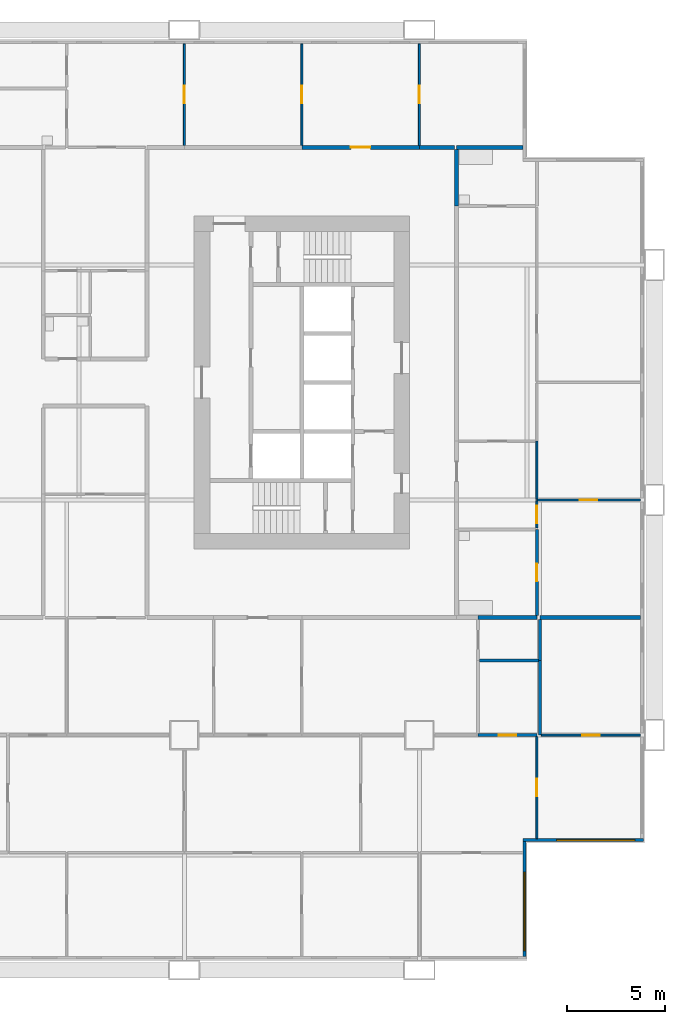
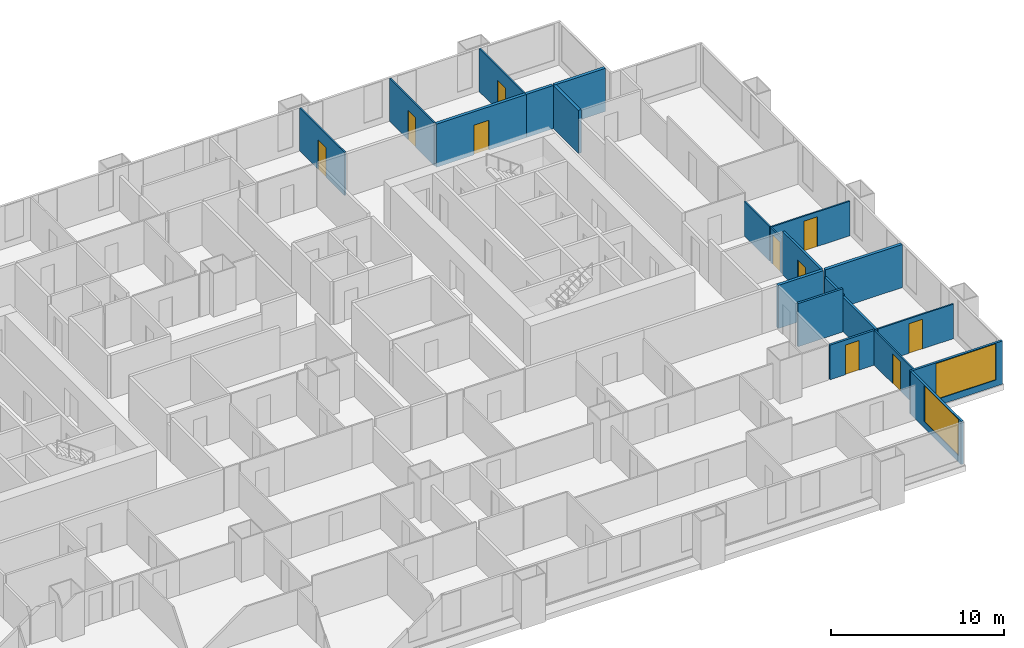
# One storey, part 11 of 14: 21 walls, 10 doors, 2 windows, 12 openings.
"""IFC4 building model written with IfcOpenShell, lengths in metres."""

from ifc_helpers import new_model, si_unit, direction, frame, frame_2d, origin, place, context, subcontext, project, spatial, rectangle, extrude, material, layer, layer_set, type_object, element, fill, save


model = new_model("IFC4")

# Units and contexts
model_context = context("Model", 3, precision=1e-05, world=origin(), true_north=direction((0.0, 1.0)))
body_context = subcontext(model_context, "Body", "Model", "MODEL_VIEW")
ifc_project = project(units=[si_unit("LENGTHUNIT", "METRE"), si_unit("AREAUNIT", "SQUARE_METRE"), si_unit("VOLUMEUNIT", "CUBIC_METRE"), si_unit("PLANEANGLEUNIT", "RADIAN"), si_unit("MASSUNIT", "GRAM", prefix="KILO")], contexts=[model_context])

# Site, building, storey
site_placement = place(None, origin())
site = spatial("IfcSite", under=ifc_project, at=site_placement, CompositionType="ELEMENT")
building_placement = place(site_placement, origin())
building = spatial("IfcBuilding", under=site, at=building_placement, Name="Kitamizu Gate Tower and Museum", CompositionType="ELEMENT")
storey_placement = place(building_placement, frame((0.0, 0.0, 85.199951171875)))
storey = spatial("IfcBuildingStorey", under=building, at=storey_placement, Name="L21", CompositionType="ELEMENT", Elevation=85.199951171875)

# Wall, opening, door
ifc_material_1 = material(Name="Gypsum board on galvanised stud")
ifc_layer_1 = layer(ifc_material_1, 0.10009765625)
ifc_layer_set_1 = layer_set([ifc_layer_1], Name="Gypsum board on galvanised stud")
wall_type_1 = type_object("IfcWallType", Name="Partition 100 NOT RATED", PredefinedType="PARTITIONING", material=ifc_layer_set_1)
wall_1_placement = place(storey_placement, frame((66.0, 6.719970703125, 0.0), z_axis=(0.0, 0.0, 1.0), x_axis=(0.0, 1.0, 0.0)))
wall_1 = element("IfcWall", 1, at=wall_1_placement, inside=storey, type_object=wall_type_1, Name="Partition L21-140", PredefinedType="PARTITIONING", context=body_context, shape_type="SweptSolid", body=[
    extrude(rectangle(XDim=5.205078125, YDim=0.10009765625, at=frame_2d((2.6025390625, 0.0))), origin(), (0.0, 0.0, 1.0), 2.449951171875),
])
opening_1_placement = place(wall_1_placement, frame((2.152587890625, 0.0, 0.0)))
opening_1 = element("IfcOpeningElement", 2, at=opening_1_placement, cuts=wall_1, Name="Opening L21-047", PredefinedType="OPENING", context=body_context, shape_type="SweptSolid", body=[
    extrude(rectangle(XDim=0.89990234375, YDim=2.10009765625, at=frame_2d((0.449951171875, 1.050048828125))), frame((0.0, 0.06005859375, 0.0), z_axis=(0.0, -1.0, 0.0), x_axis=(1.0, 0.0, 0.0)), (0.0, 0.0, 1.0), 0.1201171875),
])
ifc_material_2 = material(Name="Timber door set", Category="wood")
door_type_1 = type_object("IfcDoorType", Name="Room door 900", OperationType="NOTDEFINED", PredefinedType="DOOR", material=ifc_material_2)
door_1_placement = place(opening_1_placement, origin())
door_1 = element("IfcDoor", 3, at=door_1_placement, inside=storey, type_object=door_type_1, Name="Door L21-047", OperationType="SINGLE_SWING_RIGHT", OverallHeight=2.10009765625, OverallWidth=0.89990234375, PredefinedType="DOOR", context=body_context, shape_type="SweptSolid", body=[
    extrude(rectangle(XDim=0.89990234375, YDim=2.10009765625, at=frame_2d((0.449951171875, 1.050048828125))), frame((0.0, 0.02490234375, 0.0), z_axis=(0.0, -1.0, 0.0), x_axis=(1.0, 0.0, 0.0)), (0.0, 0.0, 1.0), 0.050048828125),
])
fill(opening_1, door_1)

wall_2_placement = place(storey_placement, frame((71.280029296875, 12.0, 0.0), z_axis=(0.0, 0.0, 1.0), x_axis=(-1.0, 0.0, 0.0)))
wall_2 = element("IfcWall", 4, at=wall_2_placement, inside=storey, type_object=wall_type_1, Name="Partition L21-144", PredefinedType="PARTITIONING", context=body_context, shape_type="SweptSolid", body=[
    extrude(rectangle(XDim=5.05908203125, YDim=0.10009765625, at=frame_2d((2.529541015625, 0.0))), origin(), (0.0, 0.0, 1.0), 2.449951171875),
])
opening_2_placement = place(wall_2_placement, frame((2.07958984375, 0.0, 0.0)))
opening_2 = element("IfcOpeningElement", 5, at=opening_2_placement, cuts=wall_2, Name="Opening L21-054", PredefinedType="OPENING", context=body_context, shape_type="SweptSolid", body=[
    extrude(rectangle(XDim=0.89990234375, YDim=2.10009765625, at=frame_2d((0.449951171875, 1.050048828125))), frame((0.0, 0.06005859375, 0.0), z_axis=(0.0, -1.0, 0.0), x_axis=(1.0, 0.0, 0.0)), (0.0, 0.0, 1.0), 0.1201171875),
])
door_2_placement = place(opening_2_placement, frame((0.89990234375, 0.0, 0.0), x_axis=(-1.0, 0.0, 0.0)))
door_2 = element("IfcDoor", 6, at=door_2_placement, inside=storey, type_object=door_type_1, Name="Door L21-054", OperationType="SINGLE_SWING_LEFT", OverallHeight=2.10009765625, OverallWidth=0.89990234375, PredefinedType="DOOR", context=body_context, shape_type="SweptSolid", body=[
    extrude(rectangle(XDim=0.89990234375, YDim=2.10009765625, at=frame_2d((0.449951171875, 1.050048828125))), frame((0.0, 0.02490234375, 0.0), z_axis=(0.0, -1.0, 0.0), x_axis=(1.0, 0.0, 0.0)), (0.0, 0.0, 1.0), 0.050048828125),
])
fill(opening_2, door_2)

wall_3_placement = place(storey_placement, frame((71.280029296875, 24.0, 0.0), z_axis=(0.0, 0.0, 1.0), x_axis=(-1.0, 0.0, 0.0)))
wall_3 = element("IfcWall", 7, at=wall_3_placement, inside=storey, type_object=wall_type_1, Name="Partition L21-169", PredefinedType="PARTITIONING", context=body_context, shape_type="SweptSolid", body=[
    extrude(rectangle(XDim=5.280029296875, YDim=0.10009765625, at=frame_2d((2.64013671875, 0.0))), origin(), (0.0, 0.0, 1.0), 2.449951171875),
])
opening_3_placement = place(wall_3_placement, frame((2.18994140625, 0.0, 0.0)))
opening_3 = element("IfcOpeningElement", 8, at=opening_3_placement, cuts=wall_3, Name="Opening L21-063", PredefinedType="OPENING", context=body_context, shape_type="SweptSolid", body=[
    extrude(rectangle(XDim=0.89990234375, YDim=2.10009765625, at=frame_2d((0.449951171875, 1.050048828125))), frame((0.0, 0.06005859375, 0.0), z_axis=(0.0, -1.0, 0.0), x_axis=(1.0, 0.0, 0.0)), (0.0, 0.0, 1.0), 0.1201171875),
])
door_3_placement = place(opening_3_placement, origin())
door_3 = element("IfcDoor", 9, at=door_3_placement, inside=storey, type_object=door_type_1, Name="Door L21-063", OperationType="SINGLE_SWING_LEFT", OverallHeight=2.10009765625, OverallWidth=0.89990234375, PredefinedType="DOOR", context=body_context, shape_type="SweptSolid", body=[
    extrude(rectangle(XDim=0.89990234375, YDim=2.10009765625, at=frame_2d((0.449951171875, 1.050048828125))), frame((0.0, 0.02490234375, 0.0), z_axis=(0.0, -1.0, 0.0), x_axis=(1.0, 0.0, 0.0)), (0.0, 0.0, 1.0), 0.050048828125),
])
fill(opening_3, door_3)

wall_4_placement = place(storey_placement, frame((66.0, 23.949951171875, 0.0), z_axis=(0.0, 0.0, 1.0), x_axis=(0.0, -1.0, 0.0)))
wall_4 = element("IfcWall", 10, at=wall_4_placement, inside=storey, type_object=wall_type_1, Name="Partition L21-171", PredefinedType="PARTITIONING", context=body_context, shape_type="SweptSolid", body=[
    extrude(rectangle(XDim=1.375, YDim=0.10009765625, at=frame_2d((0.6875, 0.0))), origin(), (0.0, 0.0, 1.0), 2.449951171875),
])
opening_4_placement = place(wall_4_placement, frame((0.237548828125, 0.0, 0.0)))
opening_4 = element("IfcOpeningElement", 11, at=opening_4_placement, cuts=wall_4, Name="Opening L21-060", PredefinedType="OPENING", context=body_context, shape_type="SweptSolid", body=[
    extrude(rectangle(XDim=0.89990234375, YDim=2.10009765625, at=frame_2d((0.449951171875, 1.050048828125))), frame((0.0, 0.06005859375, 0.0), z_axis=(0.0, -1.0, 0.0), x_axis=(1.0, 0.0, 0.0)), (0.0, 0.0, 1.0), 0.1201171875),
])
door_4_placement = place(opening_4_placement, origin())
door_4 = element("IfcDoor", 12, at=door_4_placement, inside=storey, type_object=door_type_1, Name="Door L21-060", OperationType="SINGLE_SWING_RIGHT", OverallHeight=2.10009765625, OverallWidth=0.89990234375, PredefinedType="DOOR", context=body_context, shape_type="SweptSolid", body=[
    extrude(rectangle(XDim=0.89990234375, YDim=2.10009765625, at=frame_2d((0.449951171875, 1.050048828125))), frame((0.0, 0.02490234375, 0.0), z_axis=(0.0, -1.0, 0.0), x_axis=(1.0, 0.0, 0.0)), (0.0, 0.0, 1.0), 0.050048828125),
])
fill(opening_4, door_4)

# Wall
wall_5_placement = place(storey_placement, frame((66.0, 27.0, 0.0), z_axis=(0.0, 0.0, 1.0), x_axis=(0.0, -1.0, 0.0)))
element("IfcWall", 13, at=wall_5_placement, inside=storey, type_object=wall_type_1, Name="Partition L21-173", PredefinedType="PARTITIONING", context=body_context, shape_type="SweptSolid", body=[
    extrude(rectangle(XDim=2.949951171875, YDim=0.10009765625, at=frame_2d((1.47509765625, 0.0))), origin(), (0.0, 0.0, 1.0), 2.449951171875),
])

# Wall, opening, door
wall_6_placement = place(storey_placement, frame((48.0, 42.10009765625, 0.0), z_axis=(0.0, 0.0, 1.0), x_axis=(0.0, 1.0, 0.0)))
wall_6 = element("IfcWall", 14, at=wall_6_placement, inside=storey, type_object=wall_type_1, Name="Partition L21-193", PredefinedType="PARTITIONING", context=body_context, shape_type="SweptSolid", body=[
    extrude(rectangle(XDim=5.179931640625, YDim=0.10009765625, at=frame_2d((2.58984375, 0.0))), origin(), (0.0, 0.0, 1.0), 3.050048828125),
])
opening_5_placement = place(wall_6_placement, frame((2.139892578125, 0.0, 0.0)))
opening_5 = element("IfcOpeningElement", 15, at=opening_5_placement, cuts=wall_6, Name="Opening L21-069", PredefinedType="OPENING", context=body_context, shape_type="SweptSolid", body=[
    extrude(rectangle(XDim=0.89990234375, YDim=2.10009765625, at=frame_2d((0.449951171875, 1.050048828125))), frame((0.0, 0.06005859375, 0.0), z_axis=(0.0, -1.0, 0.0), x_axis=(1.0, 0.0, 0.0)), (0.0, 0.0, 1.0), 0.1201171875),
])
door_5_placement = place(opening_5_placement, origin())
door_5 = element("IfcDoor", 16, at=door_5_placement, inside=storey, type_object=door_type_1, Name="Door L21-069", OperationType="SINGLE_SWING_LEFT", OverallHeight=2.10009765625, OverallWidth=0.89990234375, PredefinedType="DOOR", context=body_context, shape_type="SweptSolid", body=[
    extrude(rectangle(XDim=0.89990234375, YDim=2.10009765625, at=frame_2d((0.449951171875, 1.050048828125))), frame((0.0, 0.02490234375, 0.0), z_axis=(0.0, -1.0, 0.0), x_axis=(1.0, 0.0, 0.0)), (0.0, 0.0, 1.0), 0.050048828125),
])
fill(opening_5, door_5)

wall_7_placement = place(storey_placement, frame((54.0, 42.10009765625, 0.0), z_axis=(0.0, 0.0, 1.0), x_axis=(0.0, 1.0, 0.0)))
wall_7 = element("IfcWall", 17, at=wall_7_placement, inside=storey, type_object=wall_type_1, Name="Partition L21-196", PredefinedType="PARTITIONING", context=body_context, shape_type="SweptSolid", body=[
    extrude(rectangle(XDim=5.179931640625, YDim=0.10009765625, at=frame_2d((2.58984375, 0.0))), origin(), (0.0, 0.0, 1.0), 3.050048828125),
])
opening_6_placement = place(wall_7_placement, frame((2.139892578125, 0.0, 0.0)))
opening_6 = element("IfcOpeningElement", 18, at=opening_6_placement, cuts=wall_7, Name="Opening L21-068", PredefinedType="OPENING", context=body_context, shape_type="SweptSolid", body=[
    extrude(rectangle(XDim=0.89990234375, YDim=2.10009765625, at=frame_2d((0.449951171875, 1.050048828125))), frame((0.0, 0.06005859375, 0.0), z_axis=(0.0, -1.0, 0.0), x_axis=(1.0, 0.0, 0.0)), (0.0, 0.0, 1.0), 0.1201171875),
])
door_6_placement = place(opening_6_placement, origin())
door_6 = element("IfcDoor", 19, at=door_6_placement, inside=storey, type_object=door_type_1, Name="Door L21-068", OperationType="SINGLE_SWING_RIGHT", OverallHeight=2.10009765625, OverallWidth=0.89990234375, PredefinedType="DOOR", context=body_context, shape_type="SweptSolid", body=[
    extrude(rectangle(XDim=0.89990234375, YDim=2.10009765625, at=frame_2d((0.449951171875, 1.050048828125))), frame((0.0, 0.02490234375, 0.0), z_axis=(0.0, -1.0, 0.0), x_axis=(1.0, 0.0, 0.0)), (0.0, 0.0, 1.0), 0.050048828125),
])
fill(opening_6, door_6)

wall_8_placement = place(storey_placement, frame((60.0, 42.10009765625, 0.0), z_axis=(0.0, 0.0, 1.0), x_axis=(0.0, 1.0, 0.0)))
wall_8 = element("IfcWall", 20, at=wall_8_placement, inside=storey, type_object=wall_type_1, Name="Partition L21-198", PredefinedType="PARTITIONING", context=body_context, shape_type="SweptSolid", body=[
    extrude(rectangle(XDim=5.179931640625, YDim=0.10009765625, at=frame_2d((2.58984375, 0.0))), origin(), (0.0, 0.0, 1.0), 3.050048828125),
])
opening_7_placement = place(wall_8_placement, frame((2.139892578125, 0.0, 0.0)))
opening_7 = element("IfcOpeningElement", 21, at=opening_7_placement, cuts=wall_8, Name="Opening L21-067", PredefinedType="OPENING", context=body_context, shape_type="SweptSolid", body=[
    extrude(rectangle(XDim=0.89990234375, YDim=2.10009765625, at=frame_2d((0.449951171875, 1.050048828125))), frame((0.0, 0.06005859375, 0.0), z_axis=(0.0, -1.0, 0.0), x_axis=(1.0, 0.0, 0.0)), (0.0, 0.0, 1.0), 0.1201171875),
])
door_7_placement = place(opening_7_placement, frame((0.89990234375, 0.0, 0.0), x_axis=(-1.0, 0.0, 0.0)))
door_7 = element("IfcDoor", 22, at=door_7_placement, inside=storey, type_object=door_type_1, Name="Door L21-067", OperationType="SINGLE_SWING_RIGHT", OverallHeight=2.10009765625, OverallWidth=0.89990234375, PredefinedType="DOOR", context=body_context, shape_type="SweptSolid", body=[
    extrude(rectangle(XDim=0.89990234375, YDim=2.10009765625, at=frame_2d((0.449951171875, 1.050048828125))), frame((0.0, 0.02490234375, 0.0), z_axis=(0.0, -1.0, 0.0), x_axis=(1.0, 0.0, 0.0)), (0.0, 0.0, 1.0), 0.050048828125),
])
fill(opening_7, door_7)

ifc_material_3 = material(Name="Gypsum board on galvanised stud")
ifc_layer_2 = layer(ifc_material_3, 0.14990234375)
ifc_layer_set_2 = layer_set([ifc_layer_2], Name="Gypsum board on galvanised stud")
wall_type_2 = type_object("IfcWallType", Name="Partition 150", PredefinedType="PARTITIONING", material=ifc_layer_set_2)
wall_9_placement = place(storey_placement, frame((66.0, 12.0, 0.0), z_axis=(0.0, 0.0, 1.0), x_axis=(-1.0, 0.0, 0.0)))
wall_9 = element("IfcWall", 23, at=wall_9_placement, inside=storey, type_object=wall_type_2, Name="Partition L21-143", PredefinedType="PARTITIONING", context=body_context, shape_type="SweptSolid", body=[
    extrude(rectangle(XDim=3.0, YDim=0.14990234375, at=frame_2d((1.5, 0.0))), origin(), (0.0, 0.0, 1.0), 2.449951171875),
])
opening_8_placement = place(wall_9_placement, frame((1.050048828125, 0.0, 0.0)))
opening_8 = element("IfcOpeningElement", 24, at=opening_8_placement, cuts=wall_9, Name="Opening L21-055", PredefinedType="OPENING", context=body_context, shape_type="SweptSolid", body=[
    extrude(rectangle(XDim=0.89990234375, YDim=2.10009765625, at=frame_2d((0.449951171875, 1.050048828125))), frame((0.0, 0.0849609375, 0.0), z_axis=(0.0, -1.0, 0.0), x_axis=(1.0, 0.0, 0.0)), (0.0, 0.0, 1.0), 0.169921875),
])
ifc_material_4 = material(Name="Timber door set", Category="wood")
door_type_2 = type_object("IfcDoorType", Name="Bathroom door 900", OperationType="NOTDEFINED", PredefinedType="DOOR", material=ifc_material_4)
door_8_placement = place(opening_8_placement, frame((0.89990234375, 0.0, 0.0), x_axis=(-1.0, 0.0, 0.0)))
door_8 = element("IfcDoor", 25, at=door_8_placement, inside=storey, type_object=door_type_2, Name="Bathroom door L21-055", OperationType="SINGLE_SWING_RIGHT", OverallHeight=2.10009765625, OverallWidth=0.89990234375, PredefinedType="DOOR", context=body_context, shape_type="SweptSolid", body=[
    extrude(rectangle(XDim=0.89990234375, YDim=2.10009765625, at=frame_2d((0.449951171875, 1.050048828125))), frame((0.0, 0.02490234375, 0.0), z_axis=(0.0, -1.0, 0.0), x_axis=(1.0, 0.0, 0.0)), (0.0, 0.0, 1.0), 0.050048828125),
])
fill(opening_8, door_8)

# Walls
wall_10_placement = place(storey_placement, frame((66.14599609375, 15.81396484375, 0.0), z_axis=(0.0, 0.0, 1.0), x_axis=(0.0, -1.0, 0.0)))
element("IfcWall", 26, at=wall_10_placement, inside=storey, type_object=wall_type_2, Name="Partition L21-157", PredefinedType="PARTITIONING", context=body_context, shape_type="SweptSolid", body=[
    extrude(rectangle(XDim=3.81396484375, YDim=0.14990234375, at=frame_2d((1.906982421875, 0.0))), origin(), (0.0, 0.0, 1.0), 2.449951171875),
])
wall_11_placement = place(storey_placement, frame((66.14599609375, 17.89990234375, 0.0), z_axis=(0.0, 0.0, 1.0), x_axis=(0.0, -1.0, 0.0)))
element("IfcWall", 27, at=wall_11_placement, inside=storey, type_object=wall_type_2, Name="Partition L21-158", PredefinedType="PARTITIONING", context=body_context, shape_type="SweptSolid", body=[
    extrude(rectangle(XDim=2.0859375, YDim=0.14990234375, at=frame_2d((1.04296875, 0.0))), origin(), (0.0, 0.0, 1.0), 2.550048828125),
])
wall_12_placement = place(storey_placement, frame((66.071044921875, 15.81396484375, 0.0), z_axis=(0.0, 0.0, 1.0), x_axis=(-1.0, 0.0, 0.0)))
element("IfcWall", 28, at=wall_12_placement, inside=storey, type_object=wall_type_2, Name="Partition L21-160", PredefinedType="PARTITIONING", context=body_context, shape_type="SweptSolid", body=[
    extrude(rectangle(XDim=2.99609375, YDim=0.14990234375, at=frame_2d((1.498046875, 0.0))), origin(), (0.0, 0.0, 1.0), 3.050048828125),
])

# Wall, opening, door
wall_13_placement = place(storey_placement, frame((66.0, 22.5, 0.0), z_axis=(0.0, 0.0, 1.0), x_axis=(0.0, -1.0, 0.0)))
wall_13 = element("IfcWall", 29, at=wall_13_placement, inside=storey, type_object=wall_type_2, Name="Partition L21-170", PredefinedType="PARTITIONING", context=body_context, shape_type="SweptSolid", body=[
    extrude(rectangle(XDim=4.39990234375, YDim=0.14990234375, at=frame_2d((2.199951171875, 0.0))), origin(), (0.0, 0.0, 1.0), 3.050048828125),
])
opening_9_placement = place(wall_13_placement, frame((1.75, 0.0, 0.0)))
opening_9 = element("IfcOpeningElement", 30, at=opening_9_placement, cuts=wall_13, Name="Opening L21-064", PredefinedType="OPENING", context=body_context, shape_type="SweptSolid", body=[
    extrude(rectangle(XDim=0.89990234375, YDim=2.10009765625, at=frame_2d((0.449951171875, 1.050048828125))), frame((0.0, 0.0849609375, 0.0), z_axis=(0.0, -1.0, 0.0), x_axis=(1.0, 0.0, 0.0)), (0.0, 0.0, 1.0), 0.169921875),
])
door_9_placement = place(opening_9_placement, frame((0.89990234375, 0.0, 0.0), x_axis=(-1.0, 0.0, 0.0)))
door_9 = element("IfcDoor", 31, at=door_9_placement, inside=storey, type_object=door_type_2, Name="Bathroom door L21-064", OperationType="SINGLE_SWING_LEFT", OverallHeight=2.10009765625, OverallWidth=0.89990234375, PredefinedType="DOOR", context=body_context, shape_type="SweptSolid", body=[
    extrude(rectangle(XDim=0.89990234375, YDim=2.10009765625, at=frame_2d((0.449951171875, 1.050048828125))), frame((0.0, 0.02490234375, 0.0), z_axis=(0.0, -1.0, 0.0), x_axis=(1.0, 0.0, 0.0)), (0.0, 0.0, 1.0), 0.050048828125),
])
fill(opening_9, door_9)

# Walls
ifc_material_5 = material(Name="Gypsum board on galvanised stud")
ifc_layer_3 = layer(ifc_material_5, 0.199951171875)
ifc_layer_set_3 = layer_set([ifc_layer_3], Name="Gypsum board on galvanised stud")
wall_type_3 = type_object("IfcWallType", Name="Partition 200", PredefinedType="PARTITIONING", material=ifc_layer_set_3)
wall_14_placement = place(storey_placement, frame((71.280029296875, 18.0, 0.0), z_axis=(0.0, 0.0, 1.0), x_axis=(-1.0, 0.0, 0.0)))
element("IfcWall", 32, at=wall_14_placement, inside=storey, type_object=wall_type_3, Name="Partition L21-159", PredefinedType="PARTITIONING", context=body_context, shape_type="SweptSolid", body=[
    extrude(rectangle(XDim=5.134033203125, YDim=0.199951171875, at=frame_2d((2.56689453125, 0.0))), origin(), (0.0, 0.0, 1.0), 3.050048828125),
])
wall_15_placement = place(storey_placement, frame((66.0, 18.0, 0.0), z_axis=(0.0, 0.0, 1.0), x_axis=(-1.0, 0.0, 0.0)))
element("IfcWall", 33, at=wall_15_placement, inside=storey, type_object=wall_type_3, Name="Partition L21-161", PredefinedType="PARTITIONING", context=body_context, shape_type="SweptSolid", body=[
    extrude(rectangle(XDim=3.0, YDim=0.199951171875, at=frame_2d((1.5, 0.0))), origin(), (0.0, 0.0, 1.0), 3.050048828125),
])
wall_16_placement = place(storey_placement, frame((65.280029296875, 42.0, 0.0), z_axis=(0.0, 0.0, 1.0), x_axis=(-1.0, 0.0, 0.0)))
element("IfcWall", 34, at=wall_16_placement, inside=storey, type_object=wall_type_3, Name="Partition L21-186", PredefinedType="PARTITIONING", context=body_context, shape_type="SweptSolid", body=[
    extrude(rectangle(XDim=3.380126953125, YDim=0.199951171875, at=frame_2d((1.68994140625, 0.0))), origin(), (0.0, 0.0, 1.0), 3.050048828125),
])
wall_17_placement = place(storey_placement, frame((61.89990234375, 41.89990234375, 0.0), z_axis=(0.0, 0.0, 1.0), x_axis=(0.0, -1.0, 0.0)))
element("IfcWall", 35, at=wall_17_placement, inside=storey, type_object=wall_type_3, Name="Partition L21-187", PredefinedType="PARTITIONING", context=body_context, shape_type="SweptSolid", body=[
    extrude(rectangle(XDim=2.89990234375, YDim=0.199951171875, at=frame_2d((1.449951171875, 0.0))), origin(), (0.0, 0.0, 1.0), 3.050048828125),
])

# Wall, opening, door
wall_18_placement = place(storey_placement, frame((54.0, 42.0, 0.0), z_axis=(0.0, 0.0, 1.0), x_axis=(1.0, 0.0, 0.0)))
wall_18 = element("IfcWall", 36, at=wall_18_placement, inside=storey, type_object=wall_type_3, Name="Partition L21-199", PredefinedType="PARTITIONING", context=body_context, shape_type="SweptSolid", body=[
    extrude(rectangle(XDim=6.0, YDim=0.199951171875, at=frame_2d((3.0, 0.0))), origin(), (0.0, 0.0, 1.0), 3.050048828125),
])
opening_10_placement = place(wall_18_placement, frame((2.5, 0.0, 0.0)))
opening_10 = element("IfcOpeningElement", 37, at=opening_10_placement, cuts=wall_18, Name="Opening L21-066", PredefinedType="OPENING", context=body_context, shape_type="SweptSolid", body=[
    extrude(rectangle(XDim=1.0, YDim=2.10009765625, at=frame_2d((0.5, 1.050048828125))), frame((0.0, 0.10986328125, 0.0), z_axis=(0.0, -1.0, 0.0), x_axis=(1.0, 0.0, 0.0)), (0.0, 0.0, 1.0), 0.219970703125),
])
ifc_material_6 = material(Name="Timber door set", Category="wood")
door_type_3 = type_object("IfcDoorType", Name="Flat entrance door 1000", OperationType="NOTDEFINED", PredefinedType="DOOR", material=ifc_material_6)
door_10_placement = place(opening_10_placement, origin())
door_10 = element("IfcDoor", 38, at=door_10_placement, inside=storey, type_object=door_type_3, Name="Flat entrance door L21-066", OperationType="SINGLE_SWING_RIGHT", OverallHeight=2.10009765625, OverallWidth=1.0, PredefinedType="DOOR", context=body_context, shape_type="SweptSolid", body=[
    extrude(rectangle(XDim=1.0, YDim=2.10009765625, at=frame_2d((0.5, 1.050048828125))), frame((0.0, 0.02490234375, 0.0), z_axis=(0.0, -1.0, 0.0), x_axis=(1.0, 0.0, 0.0)), (0.0, 0.0, 1.0), 0.050048828125),
])
fill(opening_10, door_10)

# Wall
wall_19_placement = place(storey_placement, frame((60.0, 42.0, 0.0), z_axis=(0.0, 0.0, 1.0), x_axis=(1.0, 0.0, 0.0)))
element("IfcWall", 39, at=wall_19_placement, inside=storey, type_object=wall_type_3, Name="Partition L21-200", PredefinedType="PARTITIONING", context=body_context, shape_type="SweptSolid", body=[
    extrude(rectangle(XDim=1.800048828125, YDim=0.199951171875, at=frame_2d((0.89990234375, 0.0))), origin(), (0.0, 0.0, 1.0), 3.050048828125),
])

# Wall, opening, window
ifc_material_7 = material(Name="Bronze anodised aluminium frame with insulated spandrel and tinted glass", Category="aluminium")
ifc_layer_4 = layer(ifc_material_7, 0.14990234375)
ifc_layer_set_4 = layer_set([ifc_layer_4], Name="Bronze anodised aluminium frame with insulated spandrel and tinted glass")
wall_type_4 = type_object("IfcWallType", Name="WINDOW WALL 150 BRONZE FRAME EI 30", PredefinedType="ELEMENTEDWALL", material=ifc_layer_set_4)
wall_20_placement = place(storey_placement, frame((65.364990234375, 0.7099609375, 0.0), z_axis=(0.0, 0.0, 1.0), x_axis=(0.0, 1.0, 0.0)))
wall_20 = element("IfcWall", 40, at=wall_20_placement, inside=storey, type_object=wall_type_4, Name="Window wall east L21", PredefinedType="ELEMENTEDWALL", context=body_context, shape_type="SweptSolid", body=[
    extrude(rectangle(XDim=5.85009765625, YDim=0.14990234375, at=frame_2d((2.925048828125, 0.0))), origin(), (0.0, 0.0, 1.0), 3.050048828125),
])
opening_11_placement = place(wall_20_placement, frame((0.2900390625, 0.0, 0.449951171875)))
opening_11 = element("IfcOpeningElement", 41, at=opening_11_placement, cuts=wall_20, Name="Opening W16", PredefinedType="OPENING", context=body_context, shape_type="SweptSolid", body=[
    extrude(rectangle(XDim=4.0, YDim=2.550048828125, at=frame_2d((2.0, 1.27490234375))), frame((0.0, 0.0849609375, 0.0), z_axis=(0.0, -1.0, 0.0), x_axis=(1.0, 0.0, 0.0)), (0.0, 0.0, 1.0), 0.169921875),
])
ifc_material_8 = material(Name="Bronze anodised aluminium frame, tinted triple glazing", Category="aluminium")
window_type = type_object("IfcWindowType", Name="WINDOW 4000 x 2550 SILL 450", PartitioningType="SINGLE_PANEL", PredefinedType="WINDOW", material=ifc_material_8)
window_1_placement = place(opening_11_placement, origin())
window_1 = element("IfcWindow", 42, at=window_1_placement, inside=storey, type_object=window_type, Name="Window W16 L21", OverallHeight=2.550048828125, OverallWidth=4.0, PartitioningType="SINGLE_PANEL", PredefinedType="WINDOW", context=body_context, shape_type="SweptSolid", body=[
    extrude(rectangle(XDim=4.0, YDim=2.550048828125, at=frame_2d((2.0, 1.27490234375))), frame((0.0, 0.030029296875, 0.0), z_axis=(0.0, -1.0, 0.0), x_axis=(1.0, 0.0, 0.0)), (0.0, 0.0, 1.0), 0.06005859375),
])
fill(opening_11, window_1)

wall_21_placement = place(storey_placement, frame((65.2900390625, 6.635009765625, 0.0), z_axis=(0.0, 0.0, 1.0), x_axis=(1.0, 0.0, 0.0)))
wall_21 = element("IfcWall", 43, at=wall_21_placement, inside=storey, type_object=wall_type_4, Name="Window wall south L21", PredefinedType="ELEMENTEDWALL", context=body_context, shape_type="SweptSolid", body=[
    extrude(rectangle(XDim=6.14990234375, YDim=0.14990234375, at=frame_2d((3.074951171875, 0.0))), origin(), (0.0, 0.0, 1.0), 3.050048828125),
])
opening_12_placement = place(wall_21_placement, frame((1.7099609375, 0.0, 0.449951171875)))
opening_12 = element("IfcOpeningElement", 44, at=opening_12_placement, cuts=wall_21, Name="Opening W16", PredefinedType="OPENING", context=body_context, shape_type="SweptSolid", body=[
    extrude(rectangle(XDim=4.0, YDim=2.550048828125, at=frame_2d((2.0, 1.27490234375))), frame((0.0, 0.0849609375, 0.0), z_axis=(0.0, -1.0, 0.0), x_axis=(1.0, 0.0, 0.0)), (0.0, 0.0, 1.0), 0.169921875),
])
window_2_placement = place(opening_12_placement, origin())
window_2 = element("IfcWindow", 45, at=window_2_placement, inside=storey, type_object=window_type, Name="Window W16 L21", OverallHeight=2.550048828125, OverallWidth=4.0, PartitioningType="SINGLE_PANEL", PredefinedType="WINDOW", context=body_context, shape_type="SweptSolid", body=[
    extrude(rectangle(XDim=4.0, YDim=2.550048828125, at=frame_2d((2.0, 1.27490234375))), frame((0.0, 0.030029296875, 0.0), z_axis=(0.0, -1.0, 0.0), x_axis=(1.0, 0.0, 0.0)), (0.0, 0.0, 1.0), 0.06005859375),
])
fill(opening_12, window_2)

save(model, "model.ifc")
